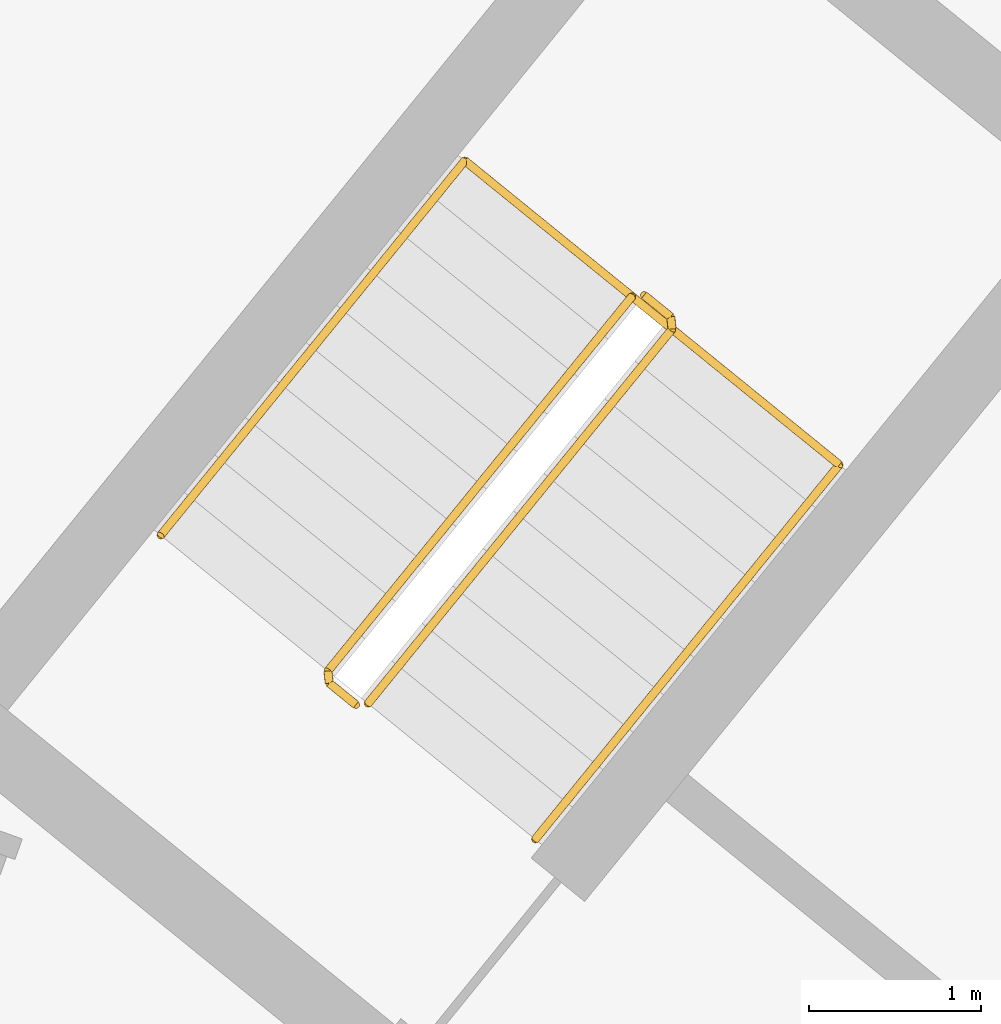
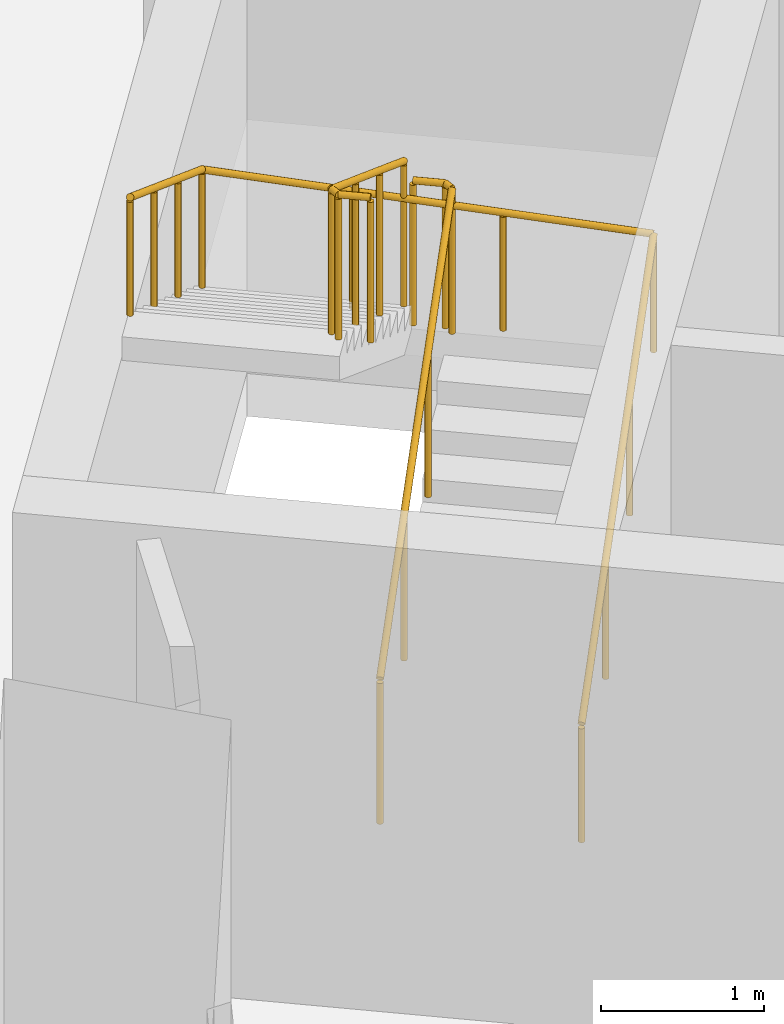
# One storey, part 24 of 24: 3 railings.
"""IFC4 building model written with IfcOpenShell, lengths in metres."""

from ifc_helpers import new_model, si_unit, direction, frame, origin, origin_2d, place, context, subcontext, project, spatial, circle, extrude, material, type_object, element, save


model = new_model("IFC4")

# Units and contexts
model_context = context("Model", 3, precision=1e-05, world=origin(), true_north=direction((0.0, 1.0)))
body_context = subcontext(model_context, "Body", "Model", "MODEL_VIEW")
ifc_project = project(units=[si_unit("LENGTHUNIT", "METRE"), si_unit("AREAUNIT", "SQUARE_METRE"), si_unit("VOLUMEUNIT", "CUBIC_METRE"), si_unit("PLANEANGLEUNIT", "RADIAN"), si_unit("MASSUNIT", "GRAM", prefix="KILO")], contexts=[model_context])

# Site, building, storey
site_placement = place(None, origin())
site = spatial("IfcSite", under=ifc_project, at=site_placement, CompositionType="ELEMENT")
building_placement = place(site_placement, origin())
building = spatial("IfcBuilding", under=site, at=building_placement, Name="Stone Belt Terrace Tower", CompositionType="ELEMENT")
storey_placement = place(building_placement, frame((0.0, 0.0, 41.39990234375)))
storey = spatial("IfcBuildingStorey", under=building, at=storey_placement, Name="L09", CompositionType="ELEMENT", Elevation=41.39990234375)

# Railings
ifc_material = material(Name="Structural steel C345", Category="steel")
railing_type_1 = type_object("IfcRailingType", Name="Stair guard 1100", PredefinedType="GUARDRAIL", material=ifc_material)
railing_1_placement = place(storey_placement, frame((29.39794921875, 38.281982421875, 0.1728515625)))
element("IfcRailing", 1, at=railing_1_placement, inside=storey, type_object=railing_type_1, Name="L09 ST3B stair guard 1", PredefinedType="GUARDRAIL", context=body_context, shape_type="SweptSolid", body=[
    extrude(circle(Radius=0.02392578125, at=origin_2d()), frame((0.0, 0.0, 1.076171875), z_axis=(0.536393061503, 0.660769759217, 0.525038864158), x_axis=(-0.776391310223, 0.630251166924, 0.0)), (0.0, 0.0, 1.0), 3.289794921875),
    extrude(circle(Radius=0.02392578125, at=origin_2d()), frame((1.7646484375, 2.173828125, 2.80322265625), z_axis=(-0.103251414163, 0.994655289773, 0.0), x_axis=(-0.994655289773, -0.103251414163, 0.0)), (0.0, 0.0, 1.0), 0.071044921875),
    extrude(circle(Radius=0.02392578125, at=origin_2d()), frame((1.75732421875, 2.244384765625, 2.80322265625), z_axis=(-0.776561986372, 0.630040856868, 0.0), x_axis=(-0.630040856868, -0.776561986372, 0.0)), (0.0, 0.0, 1.0), 0.199951171875),
    extrude(circle(Radius=0.02099609375, at=origin_2d()), origin(), (0.0, 0.0, 1.0), 1.052001953125),
    extrude(circle(Radius=0.02099609375, at=origin_2d()), frame((0.588134765625, 0.724609375, 0.57568359375)), (0.0, 0.0, 1.0), 1.052001953125),
    extrude(circle(Radius=0.02099609375, at=origin_2d()), frame((1.176513671875, 1.44921875, 1.151611328125)), (0.0, 0.0, 1.0), 1.052001953125),
    extrude(circle(Radius=0.02099609375, at=origin_2d()), frame((1.7646484375, 2.173828125, 1.727294921875)), (0.0, 0.0, 1.0), 1.052001953125),
    extrude(circle(Radius=0.02099609375, at=origin_2d()), frame((1.75732421875, 2.244384765625, 1.727294921875)), (0.0, 0.0, 1.0), 1.052001953125),
    extrude(circle(Radius=0.02099609375, at=origin_2d()), frame((1.60205078125, 2.370361328125, 1.727294921875)), (0.0, 0.0, 1.0), 1.052001953125),
])
railing_2_placement = place(storey_placement, frame((30.9296875, 40.64501953125, 2.07275390625)))
element("IfcRailing", 2, at=railing_2_placement, inside=storey, type_object=railing_type_1, Name="L09 ST3B stair guard 2", PredefinedType="GUARDRAIL", context=body_context, shape_type="SweptSolid", body=[
    extrude(circle(Radius=0.02392578125, at=origin_2d()), frame((0.0, 0.0, 1.076171875), z_axis=(-0.536366759382, -0.660811565066, 0.525013118792), x_axis=(0.776425942316, -0.630208502084, 0.0)), (0.0, 0.0, 1.0), 3.2900390625),
    extrude(circle(Radius=0.02392578125, at=origin_2d()), frame((-1.7646484375, -2.174072265625, 2.80322265625), z_axis=(0.103606084259, -0.994618408891, 0.0), x_axis=(0.994618408891, 0.103606084259, 0.0)), (0.0, 0.0, 1.0), 0.07080078125),
    extrude(circle(Radius=0.02392578125, at=origin_2d()), frame((-1.75732421875, -2.244384765625, 2.80322265625), z_axis=(0.776561986372, -0.630040856868, 0.0), x_axis=(0.630040856868, 0.776561986372, 0.0)), (0.0, 0.0, 1.0), 0.199951171875),
    extrude(circle(Radius=0.02099609375, at=origin_2d()), origin(), (0.0, 0.0, 1.0), 1.052001953125),
    extrude(circle(Radius=0.02099609375, at=origin_2d()), frame((-0.588134765625, -0.724609375, 0.57568359375)), (0.0, 0.0, 1.0), 1.052001953125),
    extrude(circle(Radius=0.02099609375, at=origin_2d()), frame((-1.176513671875, -1.449462890625, 1.151611328125)), (0.0, 0.0, 1.0), 1.052001953125),
    extrude(circle(Radius=0.02099609375, at=origin_2d()), frame((-1.7646484375, -2.174072265625, 1.727294921875)), (0.0, 0.0, 1.0), 1.052001953125),
    extrude(circle(Radius=0.02099609375, at=origin_2d()), frame((-1.75732421875, -2.244384765625, 1.727294921875)), (0.0, 0.0, 1.0), 1.052001953125),
    extrude(circle(Radius=0.02099609375, at=origin_2d()), frame((-1.60205078125, -2.370361328125, 1.727294921875)), (0.0, 0.0, 1.0), 1.052001953125),
])
railing_type_2 = type_object("IfcRailingType", Name="Stair handrail 900", PredefinedType="HANDRAIL", material=ifc_material)
railing_3_placement = place(storey_placement, frame((30.36865234375, 37.494140625, 0.1728515625)))
element("IfcRailing", 3, at=railing_3_placement, inside=storey, type_object=railing_type_2, Name="L09 ST3B stair handrail 1", PredefinedType="HANDRAIL", context=body_context, shape_type="SweptSolid", body=[
    extrude(circle(Radius=0.02392578125, at=origin_2d()), frame((0.0, 0.0, 0.8759765625), z_axis=(0.536366759382, 0.660811565066, 0.525013118792), x_axis=(-0.776425942316, 0.630208502084, 0.0)), (0.0, 0.0, 1.0), 3.2900390625),
    extrude(circle(Radius=0.02392578125, at=origin_2d()), frame((1.7646484375, 2.174072265625, 2.60302734375), z_axis=(-0.774954966459, 0.629014542119, 0.061526463929), x_axis=(-0.630208502084, -0.776425942316, 0.0)), (0.0, 0.0, 1.0), 2.805419921875),
    extrude(circle(Radius=0.02392578125, at=origin_2d()), frame((-0.409423828125, 3.938720703125, 2.77587890625), z_axis=(-0.536366759382, -0.660811565066, 0.525013118792), x_axis=(0.776425942316, -0.630208502084, 0.0)), (0.0, 0.0, 1.0), 3.2900390625),
    extrude(circle(Radius=0.02099609375, at=origin_2d()), origin(), (0.0, 0.0, 1.0), 0.851806640625),
    extrude(circle(Radius=0.02099609375, at=origin_2d()), frame((0.588134765625, 0.724609375, 0.57568359375)), (0.0, 0.0, 1.0), 0.851806640625),
    extrude(circle(Radius=0.02099609375, at=origin_2d()), frame((1.176513671875, 1.449462890625, 1.151611328125)), (0.0, 0.0, 1.0), 0.851806640625),
    extrude(circle(Radius=0.02099609375, at=origin_2d()), frame((1.7646484375, 2.174072265625, 1.727294921875)), (0.0, 0.0, 1.0), 0.851806640625),
    extrude(circle(Radius=0.02099609375, at=origin_2d()), frame((1.0400390625, 2.76220703125, 1.784912109375)), (0.0, 0.0, 1.0), 0.851806640625),
    extrude(circle(Radius=0.02099609375, at=origin_2d()), frame((0.315185546875, 3.3505859375, 1.84228515625)), (0.0, 0.0, 1.0), 0.851806640625),
    extrude(circle(Radius=0.02099609375, at=origin_2d()), frame((-0.409423828125, 3.938720703125, 1.89990234375)), (0.0, 0.0, 1.0), 0.851806640625),
    extrude(circle(Radius=0.02099609375, at=origin_2d()), frame((-0.99755859375, 3.214111328125, 2.4755859375)), (0.0, 0.0, 1.0), 0.851806640625),
    extrude(circle(Radius=0.02099609375, at=origin_2d()), frame((-1.5859375, 2.4892578125, 3.051513671875)), (0.0, 0.0, 1.0), 0.851806640625),
    extrude(circle(Radius=0.02099609375, at=origin_2d()), frame((-2.174072265625, 1.7646484375, 3.627197265625)), (0.0, 0.0, 1.0), 0.851806640625),
])

save(model, "model.ifc")
